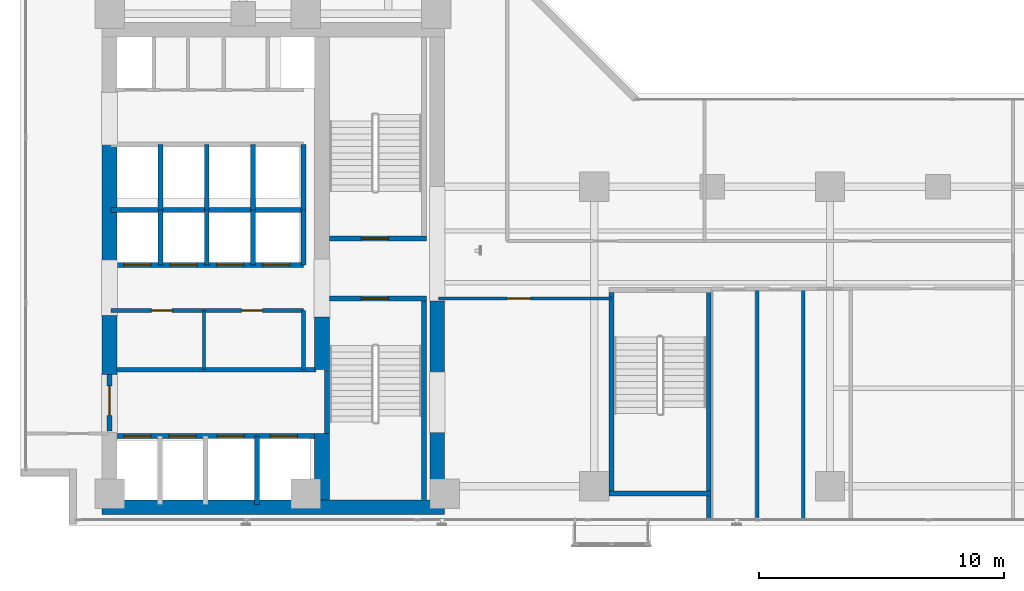
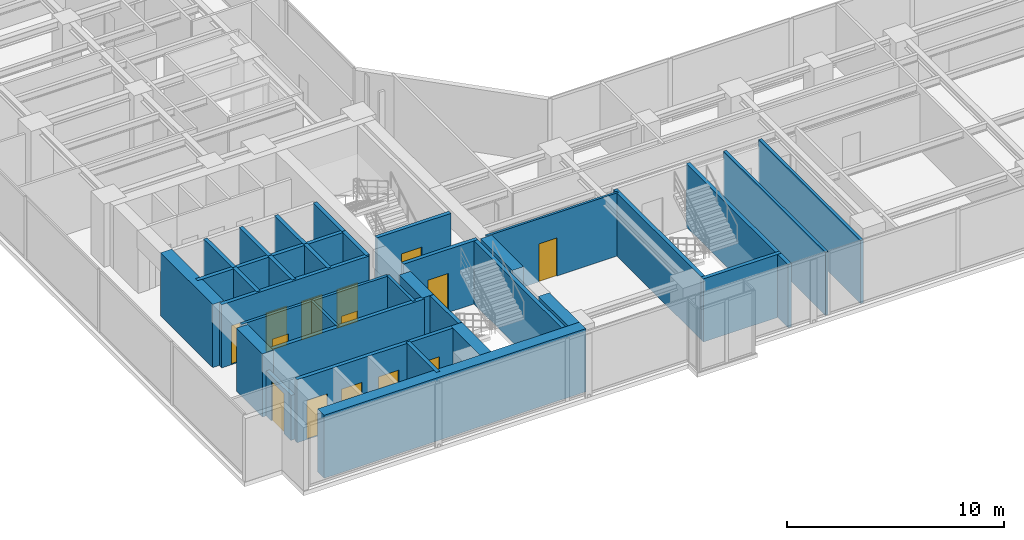
# One storey, part 19 of 24: 34 walls, 14 doors, 14 openings.
"""IFC4 building model written with IfcOpenShell, lengths in metres."""

from ifc_helpers import new_model, si_unit, direction, frame, frame_2d, origin, place, context, subcontext, project, spatial, rectangle, extrude, material, layer, layer_set, type_object, element, fill, save


model = new_model("IFC4")

# Units and contexts
model_context = context("Model", 3, precision=1e-05, world=origin(), true_north=direction((0.0, 1.0)))
body_context = subcontext(model_context, "Body", "Model", "MODEL_VIEW")
ifc_project = project(units=[si_unit("LENGTHUNIT", "METRE"), si_unit("AREAUNIT", "SQUARE_METRE"), si_unit("VOLUMEUNIT", "CUBIC_METRE"), si_unit("PLANEANGLEUNIT", "RADIAN"), si_unit("MASSUNIT", "GRAM", prefix="KILO")], contexts=[model_context])

# Site, building, storey
site_placement = place(None, origin())
site = spatial("IfcSite", under=ifc_project, at=site_placement, CompositionType="ELEMENT")
building_placement = place(site_placement, origin())
building = spatial("IfcBuilding", under=site, at=building_placement, Name="Kolvaren Waterfront Exchange", CompositionType="ELEMENT")
storey_placement = place(building_placement, frame((0.0, 0.0, 169.0)))
storey = spatial("IfcBuildingStorey", under=building, at=storey_placement, Name="L43", CompositionType="ELEMENT", Elevation=169.0)

# Wall, opening, door
ifc_material_1 = material(Name="Precast concrete C40/50", Category="concrete")
ifc_layer_1 = layer(ifc_material_1, 0.199951171875, Name="Precast concrete C40/50")
ifc_layer_set_1 = layer_set([ifc_layer_1], Name="Precast concrete C40/50")
wall_type_1 = type_object("IfcWallType", Name="ARC-FIRE-200", PredefinedType="PARTITIONING", material=ifc_layer_set_1)
wall_1_placement = place(storey_placement, frame((16.39990234375, 12.85009765625, 0.0), z_axis=(0.0, 0.0, 1.0), x_axis=(1.0, 0.0, 0.0)))
wall_1 = element("IfcWall", 1, at=wall_1_placement, inside=storey, type_object=wall_type_1, Name="L43 interior wall PW-L43-ST1-THROAT-S", PredefinedType="PARTITIONING", context=body_context, shape_type="SweptSolid", body=[
    extrude(rectangle(XDim=3.960205078125, YDim=0.199951171875, at=frame_2d((1.97998046875, 0.0))), origin(), (0.0, 0.0, 1.0), 3.56005859375),
])
opening_1_placement = place(wall_1_placement, frame((1.3037109375, 0.0, 0.0)))
opening_1 = element("IfcOpeningElement", 2, at=opening_1_placement, cuts=wall_1, Name="Opening FD2", PredefinedType="OPENING", context=body_context, shape_type="SweptSolid", body=[
    extrude(rectangle(XDim=1.10009765625, YDim=2.199951171875, at=frame_2d((0.550048828125, 1.10009765625))), frame((0.0, 0.10986328125, 0.0), z_axis=(0.0, -1.0, 0.0), x_axis=(1.0, 0.0, 0.0)), (0.0, 0.0, 1.0), 0.219970703125),
])
ifc_material_2 = material(Name="Pressed steel smoke-seal fire door", Category="steel")
door_type_1 = type_object("IfcDoorType", Name="ARC-FD-1100", OperationType="NOTDEFINED", PredefinedType="DOOR", material=ifc_material_2)
door_1_placement = place(opening_1_placement, frame((1.10009765625, 0.0, 0.0), z_axis=(0.0, 0.0, 1.0), x_axis=(-1.0, 0.0, 0.0)))
door_1 = element("IfcDoor", 3, at=door_1_placement, inside=storey, type_object=door_type_1, Name="L43 door DR-L43-ST1-IN (FD2)", OperationType="SINGLE_SWING_LEFT", OverallHeight=2.199951171875, OverallWidth=1.10009765625, PredefinedType="DOOR", context=body_context, shape_type="SweptSolid", body=[
    extrude(rectangle(XDim=1.10009765625, YDim=2.199951171875, at=frame_2d((0.550048828125, 1.10009765625))), frame((0.0, 0.02490234375, 0.0), z_axis=(0.0, -1.0, 0.0), x_axis=(1.0, 0.0, 0.0)), (0.0, 0.0, 1.0), 0.050048828125),
])
fill(opening_1, door_1)

wall_2_placement = place(storey_placement, frame((16.409912109375, 15.300048828125, 0.0), z_axis=(0.0, 0.0, 1.0), x_axis=(1.0, 0.0, 0.0)))
wall_2 = element("IfcWall", 4, at=wall_2_placement, inside=storey, type_object=wall_type_1, Name="L43 interior wall PW-L43-ST2-THROAT-N", PredefinedType="PARTITIONING", context=body_context, shape_type="SweptSolid", body=[
    extrude(rectangle(XDim=3.9501953125, YDim=0.199951171875, at=frame_2d((1.97509765625, 0.0))), origin(), (0.0, 0.0, 1.0), 3.56005859375),
])
opening_2_placement = place(wall_2_placement, frame((1.293701171875, 0.0, 0.0)))
opening_2 = element("IfcOpeningElement", 5, at=opening_2_placement, cuts=wall_2, Name="Opening FD2", PredefinedType="OPENING", context=body_context, shape_type="SweptSolid", body=[
    extrude(rectangle(XDim=1.10009765625, YDim=2.199951171875, at=frame_2d((0.550048828125, 1.10009765625))), frame((0.0, 0.10986328125, 0.0), z_axis=(0.0, -1.0, 0.0), x_axis=(1.0, 0.0, 0.0)), (0.0, 0.0, 1.0), 0.219970703125),
])
door_2_placement = place(opening_2_placement, origin())
door_2 = element("IfcDoor", 6, at=door_2_placement, inside=storey, type_object=door_type_1, Name="L43 door DR-L43-ST2-IN (FD2)", OperationType="SINGLE_SWING_RIGHT", OverallHeight=2.199951171875, OverallWidth=1.10009765625, PredefinedType="DOOR", context=body_context, shape_type="SweptSolid", body=[
    extrude(rectangle(XDim=1.10009765625, YDim=2.199951171875, at=frame_2d((0.550048828125, 1.10009765625))), frame((0.0, 0.02490234375, 0.0), z_axis=(0.0, -1.0, 0.0), x_axis=(1.0, 0.0, 0.0)), (0.0, 0.0, 1.0), 0.050048828125),
])
fill(opening_2, door_2)

# Wall
wall_3_placement = place(storey_placement, frame((7.5, 9.949951171875, 0.0), z_axis=(0.0, 0.0, 1.0), x_axis=(1.0, 0.0, 0.0)))
element("IfcWall", 7, at=wall_3_placement, inside=storey, type_object=wall_type_1, Name="L43 interior wall PW-L43-FF-N", PredefinedType="PARTITIONING", context=body_context, shape_type="SweptSolid", body=[
    extrude(rectangle(XDim=8.35009765625, YDim=0.199951171875, at=frame_2d((4.175048828125, 0.0))), origin(), (0.0, 0.0, 1.0), 3.56005859375),
])

# Wall, opening, door
wall_4_placement = place(storey_placement, frame((7.449951171875, 7.449951171875, 0.0), z_axis=(0.0, 0.0, 1.0), x_axis=(0.0, 1.0, 0.0)))
wall_4 = element("IfcWall", 8, at=wall_4_placement, inside=storey, type_object=wall_type_1, Name="L43 interior wall PW-L43-FF-W-DOOR", PredefinedType="PARTITIONING", context=body_context, shape_type="SweptSolid", body=[
    extrude(rectangle(XDim=2.300048828125, YDim=0.199951171875, at=frame_2d((1.14990234375, 0.0))), origin(), (0.0, 0.0, 1.0), 2.5400390625),
])
opening_3_placement = place(wall_4_placement, frame((0.63330078125, 0.0, 0.0)))
opening_3 = element("IfcOpeningElement", 9, at=opening_3_placement, cuts=wall_4, Name="Opening FD3", PredefinedType="OPENING", context=body_context, shape_type="SweptSolid", body=[
    extrude(rectangle(XDim=1.199951171875, YDim=2.25, at=frame_2d((0.60009765625, 1.125))), frame((0.0, 0.10986328125, 0.0), z_axis=(0.0, -1.0, 0.0), x_axis=(1.0, 0.0, 0.0)), (0.0, 0.0, 1.0), 0.219970703125),
])
ifc_material_3 = material(Name="Pressed steel fire door", Category="steel")
door_type_2 = type_object("IfcDoorType", Name="ARC-FD-1200", OperationType="NOTDEFINED", PredefinedType="DOOR", material=ifc_material_3)
door_3_placement = place(opening_3_placement, frame((1.199951171875, 0.0, 0.0), z_axis=(0.0, 0.0, 1.0), x_axis=(-1.0, 0.0, 0.0)))
door_3 = element("IfcDoor", 10, at=door_3_placement, inside=storey, type_object=door_type_2, Name="L43 door DR-L43-FF-OUT (FD3)", OperationType="SINGLE_SWING_RIGHT", OverallHeight=2.25, OverallWidth=1.199951171875, PredefinedType="DOOR", context=body_context, shape_type="SweptSolid", body=[
    extrude(rectangle(XDim=1.199951171875, YDim=2.25, at=frame_2d((0.60009765625, 1.125))), frame((0.0, 0.02490234375, 0.0), z_axis=(0.0, -1.0, 0.0), x_axis=(1.0, 0.0, 0.0)), (0.0, 0.0, 1.0), 0.050048828125),
])
fill(opening_3, door_3)

# Wall
ifc_material_4 = material(Name="Acoustic gypsum steel stud", Category="steel")
ifc_layer_2 = layer(ifc_material_4, 0.125, Name="Acoustic gypsum steel stud")
ifc_layer_set_2 = layer_set([ifc_layer_2], Name="Acoustic gypsum steel stud")
wall_type_2 = type_object("IfcWallType", Name="ARC-PART-125", PredefinedType="PARTITIONING", material=ifc_layer_set_2)
wall_5_placement = place(storey_placement, frame((11.300048828125, 9.949951171875, 0.0), z_axis=(0.0, 0.0, 1.0), x_axis=(0.0, 1.0, 0.0)))
element("IfcWall", 11, at=wall_5_placement, inside=storey, type_object=wall_type_2, Name="L43 interior wall PW-L43-REC-PL-MID", PredefinedType="PARTITIONING", context=body_context, shape_type="SweptSolid", body=[
    extrude(rectangle(XDim=2.41015625, YDim=0.125, at=frame_2d((1.205078125, 0.0))), origin(), (0.0, 0.0, 1.0), 3.56005859375),
])

# Wall, opening, door
wall_6_placement = place(storey_placement, frame((20.85009765625, 12.85009765625, 0.0), z_axis=(0.0, 0.0, 1.0), x_axis=(1.0, 0.0, 0.0)))
wall_6 = element("IfcWall", 12, at=wall_6_placement, inside=storey, type_object=wall_type_2, Name="L43 interior wall PW-L43-SWST3-N", PredefinedType="PARTITIONING", context=body_context, shape_type="SweptSolid", body=[
    extrude(rectangle(XDim=7.0498046875, YDim=0.125, at=frame_2d((3.52490234375, 0.0))), origin(), (0.0, 0.0, 1.0), 3.56005859375),
])
opening_4_placement = place(wall_6_placement, frame((2.800048828125, 0.0, 0.0)))
opening_4 = element("IfcOpeningElement", 13, at=opening_4_placement, cuts=wall_6, Name="Opening D02", PredefinedType="OPENING", context=body_context, shape_type="SweptSolid", body=[
    extrude(rectangle(XDim=0.949951171875, YDim=2.14990234375, at=frame_2d((0.47509765625, 1.074951171875))), frame((0.0, 0.072509765625, 0.0), z_axis=(0.0, -1.0, 0.0), x_axis=(1.0, 0.0, 0.0)), (0.0, 0.0, 1.0), 0.14501953125),
])
ifc_material_5 = material(Name="Oak veneer acoustic timber", Category="wood")
door_type_3 = type_object("IfcDoorType", Name="ARC-DR-950", OperationType="NOTDEFINED", PredefinedType="DOOR", material=ifc_material_5)
door_4_placement = place(opening_4_placement, origin())
door_4 = element("IfcDoor", 14, at=door_4_placement, inside=storey, type_object=door_type_3, Name="L43 door DR-L43-SWST3-D (D02)", OperationType="SINGLE_SWING_RIGHT", OverallHeight=2.14990234375, OverallWidth=0.949951171875, PredefinedType="DOOR", context=body_context, shape_type="SweptSolid", body=[
    extrude(rectangle(XDim=0.949951171875, YDim=2.14990234375, at=frame_2d((0.47509765625, 1.074951171875))), frame((0.0, 0.02490234375, 0.0), z_axis=(0.0, -1.0, 0.0), x_axis=(1.0, 0.0, 0.0)), (0.0, 0.0, 1.0), 0.050048828125),
])
fill(opening_4, door_4)

# Wall, openings, doors
ifc_material_6 = material(Name="Gypsum fireboard steel stud", Category="steel")
ifc_layer_3 = layer(ifc_material_6, 0.14990234375, Name="Gypsum fireboard steel stud")
ifc_layer_set_3 = layer_set([ifc_layer_3], Name="Gypsum fireboard steel stud")
wall_type_3 = type_object("IfcWallType", Name="ARC-PART-150", PredefinedType="PARTITIONING", material=ifc_layer_set_3)
wall_7_placement = place(storey_placement, frame((7.5, 12.360107421875, 0.0), z_axis=(0.0, 0.0, 1.0), x_axis=(1.0, 0.0, 0.0)))
wall_7 = element("IfcWall", 15, at=wall_7_placement, inside=storey, type_object=wall_type_3, Name="L43 interior wall PW-L43-REC-PL-N", PredefinedType="PARTITIONING", context=body_context, shape_type="SweptSolid", body=[
    extrude(rectangle(XDim=7.85009765625, YDim=0.14990234375, at=frame_2d((3.925048828125, 0.0))), origin(), (0.0, 0.0, 1.0), 3.56005859375),
])
opening_5_placement = place(wall_7_placement, frame((1.64990234375, 0.0, 0.0)))
opening_5 = element("IfcOpeningElement", 16, at=opening_5_placement, cuts=wall_7, Name="Opening D01", PredefinedType="OPENING", context=body_context, shape_type="SweptSolid", body=[
    extrude(rectangle(XDim=0.85009765625, YDim=2.14990234375, at=frame_2d((0.425048828125, 1.074951171875))), frame((0.0, 0.0849609375, 0.0), z_axis=(0.0, -1.0, 0.0), x_axis=(1.0, 0.0, 0.0)), (0.0, 0.0, 1.0), 0.169921875),
])
opening_6_placement = place(wall_7_placement, frame((5.329345703125, 0.0, 0.0)))
opening_6 = element("IfcOpeningElement", 17, at=opening_6_placement, cuts=wall_7, Name="Opening D01", PredefinedType="OPENING", context=body_context, shape_type="SweptSolid", body=[
    extrude(rectangle(XDim=0.85009765625, YDim=2.14990234375, at=frame_2d((0.425048828125, 1.074951171875))), frame((0.0, 0.0849609375, 0.0), z_axis=(0.0, -1.0, 0.0), x_axis=(1.0, 0.0, 0.0)), (0.0, 0.0, 1.0), 0.169921875),
])
ifc_material_7 = material(Name="Oak veneer timber leaf", Category="wood")
door_type_4 = type_object("IfcDoorType", Name="ARC-DR-900", OperationType="NOTDEFINED", PredefinedType="DOOR", material=ifc_material_7)
door_5_placement = place(opening_5_placement, origin())
door_5 = element("IfcDoor", 18, at=door_5_placement, inside=storey, type_object=door_type_4, Name="L43 door DR-L43-REC-PL-D1 (D01)", OperationType="SINGLE_SWING_LEFT", OverallHeight=2.14990234375, OverallWidth=0.85009765625, PredefinedType="DOOR", context=body_context, shape_type="SweptSolid", body=[
    extrude(rectangle(XDim=0.85009765625, YDim=2.14990234375, at=frame_2d((0.425048828125, 1.074951171875))), frame((0.0, 0.02490234375, 0.0), z_axis=(0.0, -1.0, 0.0), x_axis=(1.0, 0.0, 0.0)), (0.0, 0.0, 1.0), 0.050048828125),
])
fill(opening_5, door_5)
door_6_placement = place(opening_6_placement, origin())
door_6 = element("IfcDoor", 19, at=door_6_placement, inside=storey, type_object=door_type_4, Name="L43 door DR-L43-REC-PL-D2 (D01)", OperationType="SINGLE_SWING_RIGHT", OverallHeight=2.14990234375, OverallWidth=0.85009765625, PredefinedType="DOOR", context=body_context, shape_type="SweptSolid", body=[
    extrude(rectangle(XDim=0.85009765625, YDim=2.14990234375, at=frame_2d((0.425048828125, 1.074951171875))), frame((0.0, 0.02490234375, 0.0), z_axis=(0.0, -1.0, 0.0), x_axis=(1.0, 0.0, 0.0)), (0.0, 0.0, 1.0), 0.050048828125),
])
fill(opening_6, door_6)

# Walls
wall_8_placement = place(storey_placement, frame((15.35009765625, 9.949951171875, 0.0), z_axis=(0.0, 0.0, 1.0), x_axis=(0.0, 1.0, 0.0)))
element("IfcWall", 20, at=wall_8_placement, inside=storey, type_object=wall_type_3, Name="L43 interior wall PW-L43-REC-PL-E", PredefinedType="PARTITIONING", context=body_context, shape_type="SweptSolid", body=[
    extrude(rectangle(XDim=2.41015625, YDim=0.14990234375, at=frame_2d((1.205078125, 0.0))), origin(), (0.0, 0.0, 1.0), 3.56005859375),
])
ifc_material_8 = material(Name="Moisture-resistant gypsum stud")
ifc_layer_4 = layer(ifc_material_8, 0.14990234375, Name="Moisture-resistant gypsum stud")
ifc_layer_set_4 = layer_set([ifc_layer_4], Name="Moisture-resistant gypsum stud")
wall_type_4 = type_object("IfcWallType", Name="ARC-PLUMB-150", PredefinedType="PLUMBINGWALL", material=ifc_layer_set_4)
for number, where, z_axis, x_axis, name in (
    (21, (33.830078125, 3.840087890625, 0.0), (0.0, 0.0, 1.0), (0.0, 1.0, 0.0), "L43 interior wall PW-L43-WC-1"),
    (22, (35.7099609375, 3.840087890625, 0.0), (0.0, 0.0, 1.0), (0.0, 1.0, 0.0), "L43 interior wall PW-L43-WC-2"),
):
    element("IfcWall", number, at=place(storey_placement, frame(where, z_axis=z_axis, x_axis=x_axis)), inside=storey, type_object=wall_type_4, Name=name, PredefinedType="PLUMBINGWALL", context=body_context, shape_type="SweptSolid", body=[
        extrude(rectangle(XDim=9.409912109375, YDim=0.14990234375, at=frame_2d((4.705078125, 0.0))), origin(), (0.0, 0.0, 1.0), 3.56005859375),
    ])
ifc_material_9 = material(Name="Concrete C40/50", Category="concrete")
ifc_layer_5 = layer(ifc_material_9, 0.199951171875, Name="Concrete C40/50")
ifc_layer_set_5 = layer_set([ifc_layer_5], Name="Concrete C40/50")
wall_type_5 = type_object("IfcWallType", Name="ARC-SHAFT-200", PredefinedType="PARTITIONING", material=ifc_layer_set_5)
wall_9_placement = place(storey_placement, frame((16.300048828125, 7.360107421875, 0.0), z_axis=(0.0, 0.0, 1.0), x_axis=(0.0, 1.0, 0.0)))
element("IfcWall", 23, at=wall_9_placement, inside=storey, type_object=wall_type_5, Name="L43 structural stairwell wall PW-L43-ST1-W", PredefinedType="SHEAR", context=body_context, shape_type="SweptSolid", body=[
    extrude(rectangle(XDim=2.579833984375, YDim=0.199951171875, at=frame_2d((1.2900390625, 0.0))), origin(), (0.0, 0.0, 1.0), 3.56005859375),
])
wall_10_placement = place(storey_placement, frame((20.260009765625, 4.659912109375, 0.0), z_axis=(0.0, 0.0, 1.0), x_axis=(0.0, 1.0, 0.0)))
element("IfcWall", 24, at=wall_10_placement, inside=storey, type_object=wall_type_5, Name="L43 structural stairwell wall PW-L43-ST1-E", PredefinedType="SHEAR", context=body_context, shape_type="SweptSolid", body=[
    extrude(rectangle(XDim=8.090087890625, YDim=0.199951171875, at=frame_2d((4.044921875, 0.0))), origin(), (0.0, 0.0, 1.0), 3.56005859375),
])
wall_11_placement = place(storey_placement, frame((27.89990234375, 5.0, 0.0), z_axis=(0.0, 0.0, 1.0), x_axis=(0.0, 1.0, 0.0)))
element("IfcWall", 25, at=wall_11_placement, inside=storey, type_object=wall_type_5, Name="L43 structural stairwell wall PW-L43-ST3-W", PredefinedType="SHEAR", context=body_context, shape_type="SweptSolid", body=[
    extrude(rectangle(XDim=8.10009765625, YDim=0.199951171875, at=frame_2d((4.050048828125, 0.0))), origin(), (0.0, 0.0, 1.0), 3.56005859375),
])
wall_12_placement = place(storey_placement, frame((31.860107421875, 3.840087890625, 0.0), z_axis=(0.0, 0.0, 1.0), x_axis=(0.0, 1.0, 0.0)))
element("IfcWall", 26, at=wall_12_placement, inside=storey, type_object=wall_type_5, Name="L43 structural stairwell wall PW-L43-ST3-E", PredefinedType="SHEAR", context=body_context, shape_type="SweptSolid", body=[
    extrude(rectangle(XDim=9.409912109375, YDim=0.199951171875, at=frame_2d((4.705078125, 0.0))), origin(), (0.0, 0.0, 1.0), 3.56005859375),
])
wall_13_placement = place(storey_placement, frame((27.800048828125, 4.89990234375, 0.0), z_axis=(0.0, 0.0, 1.0), x_axis=(1.0, 0.0, 0.0)))
element("IfcWall", 27, at=wall_13_placement, inside=storey, type_object=wall_type_5, Name="L43 structural stairwell wall PW-L43-ST3-S", PredefinedType="SHEAR", context=body_context, shape_type="SweptSolid", body=[
    extrude(rectangle(XDim=4.159912109375, YDim=0.199951171875, at=frame_2d((2.080078125, 0.0))), origin(), (0.0, 0.0, 1.0), 3.56005859375),
])

# Wall, openings, doors
wall_14_placement = place(storey_placement, frame((7.5, 7.25, 0.0), z_axis=(0.0, 0.0, 1.0), x_axis=(1.0, 0.0, 0.0)))
wall_14 = element("IfcWall", 28, at=wall_14_placement, inside=storey, type_object=wall_type_5, Name="L43 interior wall PW-L43-FF-S", PredefinedType="PARTITIONING", context=body_context, shape_type="SweptSolid", body=[
    extrude(rectangle(XDim=8.35009765625, YDim=0.199951171875, at=frame_2d((4.175048828125, 0.0))), origin(), (0.0, 0.0, 1.0), 3.56005859375),
])
opening_7_placement = place(wall_14_placement, frame((0.530029296875, 0.0, 0.0)))
opening_7 = element("IfcOpeningElement", 29, at=opening_7_placement, cuts=wall_14, Name="Opening LD1", PredefinedType="OPENING", context=body_context, shape_type="SweptSolid", body=[
    extrude(rectangle(XDim=1.10009765625, YDim=2.199951171875, at=frame_2d((0.550048828125, 1.10009765625))), frame((0.0, 0.10986328125, 0.0), z_axis=(0.0, -1.0, 0.0), x_axis=(1.0, 0.0, 0.0)), (0.0, 0.0, 1.0), 0.219970703125),
])
opening_8_placement = place(wall_14_placement, frame((2.3701171875, 0.0, 0.0)))
opening_8 = element("IfcOpeningElement", 30, at=opening_8_placement, cuts=wall_14, Name="Opening LD1", PredefinedType="OPENING", context=body_context, shape_type="SweptSolid", body=[
    extrude(rectangle(XDim=1.10009765625, YDim=2.199951171875, at=frame_2d((0.550048828125, 1.10009765625))), frame((0.0, 0.10986328125, 0.0), z_axis=(0.0, -1.0, 0.0), x_axis=(1.0, 0.0, 0.0)), (0.0, 0.0, 1.0), 0.219970703125),
])
opening_9_placement = place(wall_14_placement, frame((4.330078125, 0.0, 0.0)))
opening_9 = element("IfcOpeningElement", 31, at=opening_9_placement, cuts=wall_14, Name="Opening LD1", PredefinedType="OPENING", context=body_context, shape_type="SweptSolid", body=[
    extrude(rectangle(XDim=1.10009765625, YDim=2.199951171875, at=frame_2d((0.550048828125, 1.10009765625))), frame((0.0, 0.10986328125, 0.0), z_axis=(0.0, -1.0, 0.0), x_axis=(1.0, 0.0, 0.0)), (0.0, 0.0, 1.0), 0.219970703125),
])
opening_10_placement = place(wall_14_placement, frame((6.5, 0.0, 0.0)))
opening_10 = element("IfcOpeningElement", 32, at=opening_10_placement, cuts=wall_14, Name="Opening LD1", PredefinedType="OPENING", context=body_context, shape_type="SweptSolid", body=[
    extrude(rectangle(XDim=1.10009765625, YDim=2.199951171875, at=frame_2d((0.550048828125, 1.10009765625))), frame((0.0, 0.10986328125, 0.0), z_axis=(0.0, -1.0, 0.0), x_axis=(1.0, 0.0, 0.0)), (0.0, 0.0, 1.0), 0.219970703125),
])
ifc_material_10 = material(Name="Stainless steel sliding landing door", Category="steel")
door_type_5 = type_object("IfcDoorType", Name="ARC-LD-FF", OperationType="SLIDING_TO_LEFT", PredefinedType="DOOR", material=ifc_material_10)
door_7_placement = place(opening_7_placement, origin())
door_7 = element("IfcDoor", 33, at=door_7_placement, inside=storey, type_object=door_type_5, Name="L43 door LD-L43-FFL1 (LD1)", OperationType="SLIDING_TO_LEFT", OverallHeight=2.199951171875, OverallWidth=1.10009765625, PredefinedType="DOOR", context=body_context, shape_type="SweptSolid", body=[
    extrude(rectangle(XDim=1.10009765625, YDim=2.199951171875, at=frame_2d((0.550048828125, 1.10009765625))), frame((0.0, 0.02490234375, 0.0), z_axis=(0.0, -1.0, 0.0), x_axis=(1.0, 0.0, 0.0)), (0.0, 0.0, 1.0), 0.050048828125),
])
fill(opening_7, door_7)
door_8_placement = place(opening_8_placement, origin())
door_8 = element("IfcDoor", 34, at=door_8_placement, inside=storey, type_object=door_type_5, Name="L43 door LD-L43-FFL2 (LD1)", OperationType="SLIDING_TO_LEFT", OverallHeight=2.199951171875, OverallWidth=1.10009765625, PredefinedType="DOOR", context=body_context, shape_type="SweptSolid", body=[
    extrude(rectangle(XDim=1.10009765625, YDim=2.199951171875, at=frame_2d((0.550048828125, 1.10009765625))), frame((0.0, 0.02490234375, 0.0), z_axis=(0.0, -1.0, 0.0), x_axis=(1.0, 0.0, 0.0)), (0.0, 0.0, 1.0), 0.050048828125),
])
fill(opening_8, door_8)
door_9_placement = place(opening_9_placement, origin())
door_9 = element("IfcDoor", 35, at=door_9_placement, inside=storey, type_object=door_type_5, Name="L43 door LD-L43-GL1 (LD1)", OperationType="SLIDING_TO_LEFT", OverallHeight=2.199951171875, OverallWidth=1.10009765625, PredefinedType="DOOR", context=body_context, shape_type="SweptSolid", body=[
    extrude(rectangle(XDim=1.10009765625, YDim=2.199951171875, at=frame_2d((0.550048828125, 1.10009765625))), frame((0.0, 0.02490234375, 0.0), z_axis=(0.0, -1.0, 0.0), x_axis=(1.0, 0.0, 0.0)), (0.0, 0.0, 1.0), 0.050048828125),
])
fill(opening_9, door_9)
door_10_placement = place(opening_10_placement, origin())
door_10 = element("IfcDoor", 36, at=door_10_placement, inside=storey, type_object=door_type_5, Name="L43 door LD-L43-GL2 (LD1)", OperationType="SLIDING_TO_LEFT", OverallHeight=2.199951171875, OverallWidth=1.10009765625, PredefinedType="DOOR", context=body_context, shape_type="SweptSolid", body=[
    extrude(rectangle(XDim=1.10009765625, YDim=2.199951171875, at=frame_2d((0.550048828125, 1.10009765625))), frame((0.0, 0.02490234375, 0.0), z_axis=(0.0, -1.0, 0.0), x_axis=(1.0, 0.0, 0.0)), (0.0, 0.0, 1.0), 0.050048828125),
])
fill(opening_10, door_10)

# Wall
wall_15_placement = place(storey_placement, frame((13.4599609375, 4.449951171875, 0.0), z_axis=(0.0, 0.0, 1.0), x_axis=(0.0, 1.0, 0.0)))
element("IfcWall", 37, at=wall_15_placement, inside=storey, type_object=wall_type_5, Name="L43 interior wall PW-L43-SH1-DIV-134", PredefinedType="PARTITIONING", context=body_context, shape_type="SweptSolid", body=[
    extrude(rectangle(XDim=2.800048828125, YDim=0.199951171875, at=frame_2d((1.39990234375, 0.0))), origin(), (0.0, 0.0, 1.0), 3.56005859375),
])

# Wall, openings, doors
wall_16_placement = place(storey_placement, frame((7.5, 14.219970703125, 0.0), z_axis=(0.0, 0.0, 1.0), x_axis=(1.0, 0.0, 0.0)))
wall_16 = element("IfcWall", 38, at=wall_16_placement, inside=storey, type_object=wall_type_5, Name="L43 interior wall PW-L43-PM-S", PredefinedType="PARTITIONING", context=body_context, shape_type="SweptSolid", body=[
    extrude(rectangle(XDim=7.85009765625, YDim=0.199951171875, at=frame_2d((3.925048828125, 0.0))), origin(), (0.0, 0.0, 1.0), 3.56005859375),
])
opening_11_placement = place(wall_16_placement, frame((0.530029296875, 0.0, 0.0)))
opening_11 = element("IfcOpeningElement", 39, at=opening_11_placement, cuts=wall_16, Name="Opening LD2", PredefinedType="OPENING", context=body_context, shape_type="SweptSolid", body=[
    extrude(rectangle(XDim=1.10009765625, YDim=2.199951171875, at=frame_2d((0.550048828125, 1.10009765625))), frame((0.0, 0.10986328125, 0.0), z_axis=(0.0, -1.0, 0.0), x_axis=(1.0, 0.0, 0.0)), (0.0, 0.0, 1.0), 0.219970703125),
])
opening_12_placement = place(wall_16_placement, frame((2.419921875, 0.0, 0.0)))
opening_12 = element("IfcOpeningElement", 40, at=opening_12_placement, cuts=wall_16, Name="Opening LD2", PredefinedType="OPENING", context=body_context, shape_type="SweptSolid", body=[
    extrude(rectangle(XDim=1.10009765625, YDim=2.199951171875, at=frame_2d((0.550048828125, 1.10009765625))), frame((0.0, 0.10986328125, 0.0), z_axis=(0.0, -1.0, 0.0), x_axis=(1.0, 0.0, 0.0)), (0.0, 0.0, 1.0), 0.219970703125),
])
opening_13_placement = place(wall_16_placement, frame((4.31005859375, 0.0, 0.0)))
opening_13 = element("IfcOpeningElement", 41, at=opening_13_placement, cuts=wall_16, Name="Opening LD2", PredefinedType="OPENING", context=body_context, shape_type="SweptSolid", body=[
    extrude(rectangle(XDim=1.10009765625, YDim=2.199951171875, at=frame_2d((0.550048828125, 1.10009765625))), frame((0.0, 0.10986328125, 0.0), z_axis=(0.0, -1.0, 0.0), x_axis=(1.0, 0.0, 0.0)), (0.0, 0.0, 1.0), 0.219970703125),
])
opening_14_placement = place(wall_16_placement, frame((6.199951171875, 0.0, 0.0)))
opening_14 = element("IfcOpeningElement", 42, at=opening_14_placement, cuts=wall_16, Name="Opening LD2", PredefinedType="OPENING", context=body_context, shape_type="SweptSolid", body=[
    extrude(rectangle(XDim=1.10009765625, YDim=2.199951171875, at=frame_2d((0.550048828125, 1.10009765625))), frame((0.0, 0.10986328125, 0.0), z_axis=(0.0, -1.0, 0.0), x_axis=(1.0, 0.0, 0.0)), (0.0, 0.0, 1.0), 0.219970703125),
])
ifc_material_11 = material(Name="Brushed bronze sliding landing door", Category="aluminium")
door_type_6 = type_object("IfcDoorType", Name="ARC-LD-PAX", OperationType="SLIDING_TO_LEFT", PredefinedType="DOOR", material=ifc_material_11)
door_11_placement = place(opening_11_placement, frame((1.10009765625, 0.0, 0.0), z_axis=(0.0, 0.0, 1.0), x_axis=(-1.0, 0.0, 0.0)))
door_11 = element("IfcDoor", 43, at=door_11_placement, inside=storey, type_object=door_type_6, Name="L43 door LD-L43-PM1 (LD2)", OperationType="SLIDING_TO_LEFT", OverallHeight=2.199951171875, OverallWidth=1.10009765625, PredefinedType="DOOR", context=body_context, shape_type="SweptSolid", body=[
    extrude(rectangle(XDim=1.10009765625, YDim=2.199951171875, at=frame_2d((0.550048828125, 1.10009765625))), frame((0.0, 0.02490234375, 0.0), z_axis=(0.0, -1.0, 0.0), x_axis=(1.0, 0.0, 0.0)), (0.0, 0.0, 1.0), 0.050048828125),
])
fill(opening_11, door_11)
door_12_placement = place(opening_12_placement, frame((1.10009765625, 0.0, 0.0), z_axis=(0.0, 0.0, 1.0), x_axis=(-1.0, 0.0, 0.0)))
door_12 = element("IfcDoor", 44, at=door_12_placement, inside=storey, type_object=door_type_6, Name="L43 door LD-L43-PM2 (LD2)", OperationType="SLIDING_TO_LEFT", OverallHeight=2.199951171875, OverallWidth=1.10009765625, PredefinedType="DOOR", context=body_context, shape_type="SweptSolid", body=[
    extrude(rectangle(XDim=1.10009765625, YDim=2.199951171875, at=frame_2d((0.550048828125, 1.10009765625))), frame((0.0, 0.02490234375, 0.0), z_axis=(0.0, -1.0, 0.0), x_axis=(1.0, 0.0, 0.0)), (0.0, 0.0, 1.0), 0.050048828125),
])
fill(opening_12, door_12)
door_13_placement = place(opening_13_placement, frame((1.10009765625, 0.0, 0.0), z_axis=(0.0, 0.0, 1.0), x_axis=(-1.0, 0.0, 0.0)))
door_13 = element("IfcDoor", 45, at=door_13_placement, inside=storey, type_object=door_type_6, Name="L43 door LD-L43-PM3 (LD2)", OperationType="SLIDING_TO_LEFT", OverallHeight=2.199951171875, OverallWidth=1.10009765625, PredefinedType="DOOR", context=body_context, shape_type="SweptSolid", body=[
    extrude(rectangle(XDim=1.10009765625, YDim=2.199951171875, at=frame_2d((0.550048828125, 1.10009765625))), frame((0.0, 0.02490234375, 0.0), z_axis=(0.0, -1.0, 0.0), x_axis=(1.0, 0.0, 0.0)), (0.0, 0.0, 1.0), 0.050048828125),
])
fill(opening_13, door_13)
door_14_placement = place(opening_14_placement, frame((1.10009765625, 0.0, 0.0), z_axis=(0.0, 0.0, 1.0), x_axis=(-1.0, 0.0, 0.0)))
door_14 = element("IfcDoor", 46, at=door_14_placement, inside=storey, type_object=door_type_6, Name="L43 door LD-L43-PM4 (LD2)", OperationType="SLIDING_TO_LEFT", OverallHeight=2.199951171875, OverallWidth=1.10009765625, PredefinedType="DOOR", context=body_context, shape_type="SweptSolid", body=[
    extrude(rectangle(XDim=1.10009765625, YDim=2.199951171875, at=frame_2d((0.550048828125, 1.10009765625))), frame((0.0, 0.02490234375, 0.0), z_axis=(0.0, -1.0, 0.0), x_axis=(1.0, 0.0, 0.0)), (0.0, 0.0, 1.0), 0.050048828125),
])
fill(opening_14, door_14)

# Walls
wall_17_placement = place(storey_placement, frame((7.5, 16.449951171875, 0.0), z_axis=(0.0, 0.0, 1.0), x_axis=(1.0, 0.0, 0.0)))
element("IfcWall", 47, at=wall_17_placement, inside=storey, type_object=wall_type_5, Name="L43 interior wall PW-L43-PM-N", PredefinedType="PARTITIONING", context=body_context, shape_type="SweptSolid", body=[
    extrude(rectangle(XDim=7.85009765625, YDim=0.199951171875, at=frame_2d((3.925048828125, 0.0))), origin(), (0.0, 0.0, 1.0), 3.56005859375),
])
for number, where, z_axis, x_axis, name in (
    (48, (15.35009765625, 14.219970703125, 0.0), (0.0, 0.0, 1.0), (0.0, 1.0, 0.0), "L43 interior wall PW-L43-PM-E"),
    (49, (9.52001953125, 14.219970703125, 0.0), (0.0, 0.0, 1.0), (0.0, 1.0, 0.0), "L43 interior wall PW-L43-SH3-DIV-95"),
    (50, (11.409912109375, 14.219970703125, 0.0), (0.0, 0.0, 1.0), (0.0, 1.0, 0.0), "L43 interior wall PW-L43-SH3-DIV-114"),
    (51, (13.300048828125, 14.219970703125, 0.0), (0.0, 0.0, 1.0), (0.0, 1.0, 0.0), "L43 interior wall PW-L43-SH3-DIV-133"),
):
    element("IfcWall", number, at=place(storey_placement, frame(where, z_axis=z_axis, x_axis=x_axis)), inside=storey, type_object=wall_type_5, Name=name, PredefinedType="PARTITIONING", context=body_context, shape_type="SweptSolid", body=[
        extrude(rectangle(XDim=2.22998046875, YDim=0.199951171875, at=frame_2d((1.114990234375, 0.0))), origin(), (0.0, 0.0, 1.0), 3.56005859375),
    ])
for number, where, z_axis, x_axis, name in (
    (52, (15.35009765625, 16.449951171875, 0.0), (0.0, 0.0, 1.0), (0.0, 1.0, 0.0), "L43 interior wall PW-L43-PH-E"),
    (53, (9.52001953125, 16.449951171875, 0.0), (0.0, 0.0, 1.0), (0.0, 1.0, 0.0), "L43 interior wall PW-L43-SH4-DIV-95"),
    (54, (11.409912109375, 16.449951171875, 0.0), (0.0, 0.0, 1.0), (0.0, 1.0, 0.0), "L43 interior wall PW-L43-SH4-DIV-114"),
    (55, (13.300048828125, 16.449951171875, 0.0), (0.0, 0.0, 1.0), (0.0, 1.0, 0.0), "L43 interior wall PW-L43-SH4-DIV-133"),
):
    element("IfcWall", number, at=place(storey_placement, frame(where, z_axis=z_axis, x_axis=x_axis)), inside=storey, type_object=wall_type_5, Name=name, PredefinedType="PARTITIONING", context=body_context, shape_type="SweptSolid", body=[
        extrude(rectangle(XDim=2.670166015625, YDim=0.199951171875, at=frame_2d((1.3349609375, 0.0))), origin(), (0.0, 0.0, 1.0), 3.56005859375),
    ])
ifc_material_12 = material(Name="Concrete C60/75", Category="concrete")
ifc_layer_6 = layer(ifc_material_12, 0.60009765625, Name="Concrete C60/75")
ifc_layer_set_6 = layer_set([ifc_layer_6], Name="Concrete C60/75")
wall_type_6 = type_object("IfcWallType", Name="STR-CWALL-600", PredefinedType="SHEAR", material=ifc_layer_set_6)
wall_18_placement = place(storey_placement, frame((7.14990234375, 4.35009765625, 0.0), z_axis=(0.0, 0.0, 1.0), x_axis=(1.0, 0.0, 0.0)))
element("IfcWall", 56, at=wall_18_placement, inside=storey, type_object=wall_type_6, Name="L43 rear-core shear wall S", PredefinedType="SHEAR", context=body_context, shape_type="SweptSolid", body=[
    extrude(rectangle(XDim=13.9501953125, YDim=0.60009765625, at=frame_2d((6.97509765625, 0.0))), origin(), (0.0, 0.0, 1.0), 3.56005859375),
])
wall_19_placement = place(storey_placement, frame((7.449951171875, 9.75, 0.0), z_axis=(0.0, 0.0, 1.0), x_axis=(0.0, 1.0, 0.0)))
element("IfcWall", 57, at=wall_19_placement, inside=storey, type_object=wall_type_6, Name="L43 rear-core shear wall W2A", PredefinedType="SHEAR", context=body_context, shape_type="SweptSolid", body=[
    extrude(rectangle(XDim=2.39990234375, YDim=0.60009765625, at=frame_2d((1.199951171875, 0.0))), origin(), (0.0, 0.0, 1.0), 3.56005859375),
])
wall_20_placement = place(storey_placement, frame((7.449951171875, 14.35009765625, 0.0), z_axis=(0.0, 0.0, 1.0), x_axis=(0.0, 1.0, 0.0)))
element("IfcWall", 58, at=wall_20_placement, inside=storey, type_object=wall_type_6, Name="L43 rear-core shear wall W2B", PredefinedType="SHEAR", context=body_context, shape_type="SweptSolid", body=[
    extrude(rectangle(XDim=4.809814453125, YDim=0.60009765625, at=frame_2d((2.40478515625, 0.0))), origin(), (0.0, 0.0, 1.0), 3.56005859375),
])
wall_21_placement = place(storey_placement, frame((20.800048828125, 4.64990234375, 0.0), z_axis=(0.0, 0.0, 1.0), x_axis=(0.0, 1.0, 0.0)))
element("IfcWall", 59, at=wall_21_placement, inside=storey, type_object=wall_type_6, Name="L43 rear-core shear wall E1", PredefinedType="SHEAR", context=body_context, shape_type="SweptSolid", body=[
    extrude(rectangle(XDim=2.75, YDim=0.60009765625, at=frame_2d((1.375, 0.0))), origin(), (0.0, 0.0, 1.0), 3.56005859375),
])
wall_22_placement = place(storey_placement, frame((20.800048828125, 9.800048828125, 0.0), z_axis=(0.0, 0.0, 1.0), x_axis=(0.0, 1.0, 0.0)))
element("IfcWall", 60, at=wall_22_placement, inside=storey, type_object=wall_type_6, Name="L43 rear-core shear wall E2", PredefinedType="SHEAR", context=body_context, shape_type="SweptSolid", body=[
    extrude(rectangle(XDim=2.949951171875, YDim=0.60009765625, at=frame_2d((1.47509765625, 0.0))), origin(), (0.0, 0.0, 1.0), 3.56005859375),
])
wall_23_placement = place(storey_placement, frame((16.10009765625, 4.64990234375, 0.0), z_axis=(0.0, 0.0, 1.0), x_axis=(0.0, 1.0, 0.0)))
element("IfcWall", 61, at=wall_23_placement, inside=storey, type_object=wall_type_6, Name="L43 rear-core shear wall M1", PredefinedType="SHEAR", context=body_context, shape_type="SweptSolid", body=[
    extrude(rectangle(XDim=2.7001953125, YDim=0.60009765625, at=frame_2d((1.35009765625, 0.0))), origin(), (0.0, 0.0, 1.0), 3.56005859375),
])
wall_24_placement = place(storey_placement, frame((16.10009765625, 9.949951171875, 0.0), z_axis=(0.0, 0.0, 1.0), x_axis=(0.0, 1.0, 0.0)))
element("IfcWall", 62, at=wall_24_placement, inside=storey, type_object=wall_type_6, Name="L43 rear-core shear wall M2", PredefinedType="SHEAR", context=body_context, shape_type="SweptSolid", body=[
    extrude(rectangle(XDim=2.150146484375, YDim=0.60009765625, at=frame_2d((1.0751953125, 0.0))), origin(), (0.0, 0.0, 1.0), 3.56005859375),
])

save(model, "model.ifc")
